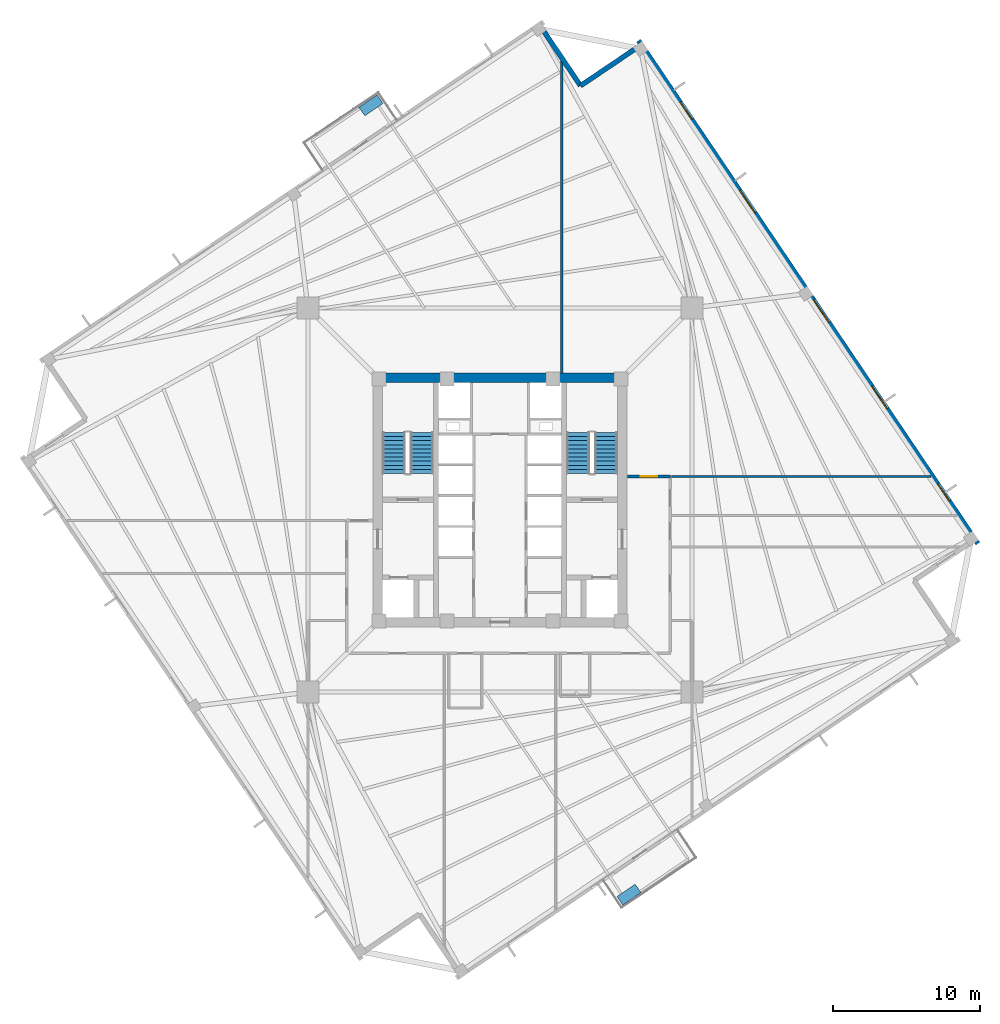
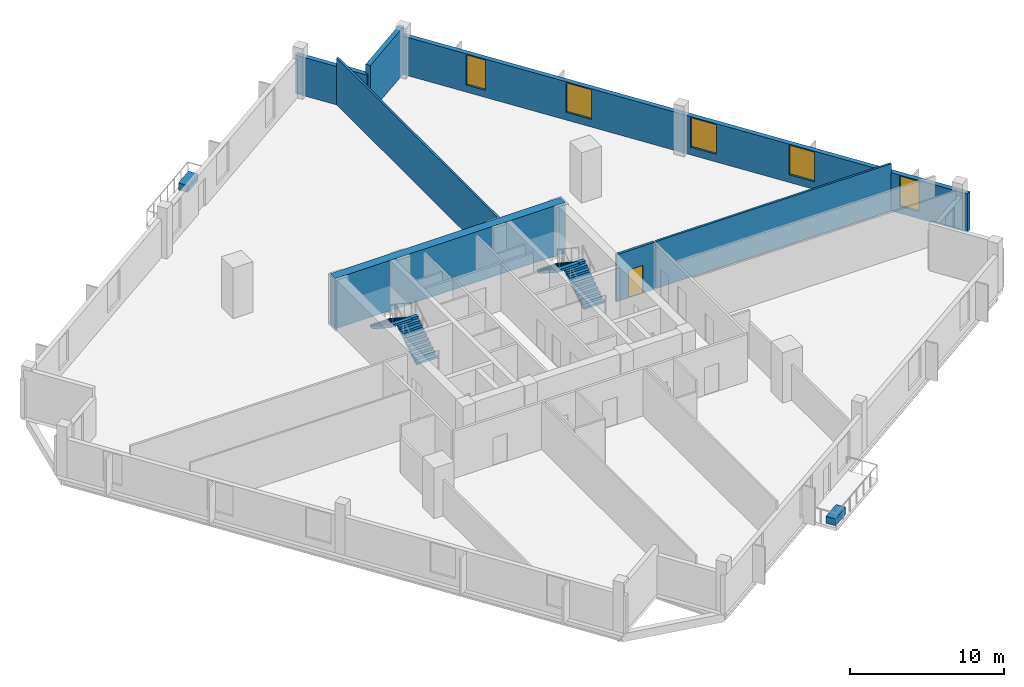
# One storey, part 5 of 8: 7 walls, 5 windows, 4 stair flights, 2 discrete accessories, 1 door, 6 openings, 2 elements without a shape of their own.
"""IFC4 building model written with IfcOpenShell, lengths in metres."""

from ifc_helpers import new_model, si_unit, direction, frame, frame_2d, origin, origin_2d, place, context, subcontext, project, spatial, polyline, rectangle, outline, extrude, source, transform, mapped, material, layer, layer_set, type_object, element, fill, aggregate, save


model = new_model("IFC4")

# Units and contexts
model_context = context("Model", 3, precision=1e-05, world=origin(), true_north=direction((0.0, 1.0)))
body_context = subcontext(model_context, "Body", "Model", "MODEL_VIEW")
ifc_project = project(units=[si_unit("LENGTHUNIT", "METRE"), si_unit("AREAUNIT", "SQUARE_METRE"), si_unit("VOLUMEUNIT", "CUBIC_METRE"), si_unit("PLANEANGLEUNIT", "RADIAN"), si_unit("MASSUNIT", "GRAM", prefix="KILO"), si_unit("THERMODYNAMICTEMPERATUREUNIT", "KELVIN")], contexts=[model_context])

# Site, building, storey
site_placement = place(None, origin())
site = spatial("IfcSite", under=ifc_project, at=site_placement, CompositionType="ELEMENT")
building_placement = place(site_placement, origin())
building = spatial("IfcBuilding", under=site, at=building_placement, Name="Kosmvard Interchange Tower", CompositionType="ELEMENT")
storey_placement = place(building_placement, frame((0.0, 0.0, 176.39990234375)))
storey = spatial("IfcBuildingStorey", under=building, at=storey_placement, Name="L42", CompositionType="ELEMENT", Elevation=176.39990234375)

# Walls
ifc_material_1 = material(Name="Acoustic gypsum partition system")
ifc_layer_1 = layer(ifc_material_1, 0.14990234375, Name="Acoustic gypsum partition system")
ifc_layer_set_1 = layer_set([ifc_layer_1], Name="Acoustic gypsum partition system")
wall_type_1 = type_object("IfcWallType", Name="Acoustic Suite & Meeting Partition 150", PredefinedType="PARTITIONING", material=ifc_layer_set_1)
wall_1_placement = place(storey_placement, frame((4.199951171875, 8.655029296875, 0.0), z_axis=(0.0, 0.0, 1.0), x_axis=(0.0, 1.0, 0.0)))
element("IfcWall", 1, at=wall_1_placement, inside=storey, type_object=wall_type_1, Name="L42 Room Partition 01.1", PredefinedType="PARTITIONING", context=body_context, shape_type="SweptSolid", body=[
    extrude(rectangle(XDim=21.286376953125, YDim=0.14990234375, at=frame_2d((10.64306640625, 0.0))), origin(), (0.0, 0.0, 1.0), 3.739990234375),
])
wall_2_placement = place(storey_placement, frame((11.695068359375, 1.60009765625, 0.0), z_axis=(0.0, 0.0, 1.0), x_axis=(1.0, 0.0, 0.0)))
element("IfcWall", 2, at=wall_2_placement, inside=storey, type_object=wall_type_1, Name="L42 Room Partition 04.1", PredefinedType="PARTITIONING", context=body_context, shape_type="SweptSolid", body=[
    extrude(rectangle(XDim=17.652587890625, YDim=0.14990234375, at=frame_2d((8.826171875, 0.0))), origin(), (0.0, 0.0, 1.0), 3.739990234375),
])

# Wall, opening, door
ifc_material_2 = material(Name="Fire-rated gypsum partition system")
ifc_layer_2 = layer(ifc_material_2, 0.179931640625, Name="Fire-rated gypsum partition system")
ifc_layer_set_2 = layer_set([ifc_layer_2], Name="Fire-rated gypsum partition system")
wall_type_2 = type_object("IfcWallType", Name="Corridor & Hotel Compartment Partition 180", PredefinedType="PARTITIONING", material=ifc_layer_set_2)
wall_3_placement = place(storey_placement, frame((8.699951171875, 1.60009765625, 0.0), z_axis=(0.0, 0.0, 1.0), x_axis=(1.0, 0.0, 0.0)))
wall_3 = element("IfcWall", 3, at=wall_3_placement, inside=storey, type_object=wall_type_2, Name="L42 Corridor Wall CNE", PredefinedType="PARTITIONING", context=body_context, shape_type="SweptSolid", body=[
    extrude(rectangle(XDim=2.900146484375, YDim=0.179931640625, at=frame_2d((1.4501953125, 0.0))), origin(), (0.0, 0.0, 1.0), 3.739990234375),
])
opening_1_placement = place(wall_3_placement, frame((0.89990234375, 0.0, 0.0)))
opening_1 = element("IfcOpeningElement", 4, at=opening_1_placement, cuts=wall_3, Name="Opening L42-D04", PredefinedType="OPENING", context=body_context, shape_type="SweptSolid", body=[
    extrude(rectangle(XDim=1.10009765625, YDim=2.199951171875, at=frame_2d((0.550048828125, 1.10009765625))), frame((0.0, 0.10009765625, 0.0), z_axis=(0.0, -1.0, 0.0), x_axis=(1.0, 0.0, 0.0)), (0.0, 0.0, 1.0), 0.199951171875),
])
ifc_material_3 = material(Name="Engineered oak fire-rated timber", Category="wood")
door_type = type_object("IfcDoorType", Name="Office Suite Entrance Door 1100x2200 FD30S", OperationType="NOTDEFINED", PredefinedType="DOOR", material=ifc_material_3)
shared_shape_1 = source(origin(), body_context, "Body", "SweptSolid", [
    extrude(rectangle(XDim=1.10009765625, YDim=2.199951171875, at=frame_2d((0.550048828125, 1.10009765625))), frame((0.0, 0.02490234375, 0.0), z_axis=(0.0, -1.0, 0.0), x_axis=(1.0, 0.0, 0.0)), (0.0, 0.0, 1.0), 0.050048828125),
])
door_placement = place(opening_1_placement, origin())
door = element("IfcDoor", 5, at=door_placement, inside=storey, type_object=door_type, Name="L42 North-East Open Trading Floor Door", OperationType="SINGLE_SWING_RIGHT", OverallHeight=2.199951171875, OverallWidth=1.10009765625, PredefinedType="DOOR", context=body_context, shape_type="MappedRepresentation", body=[
    mapped(shared_shape_1, transform((0.0, 0.0, 0.0), scale=1.0)),
])
fill(opening_1, door)

# Wall
ifc_material_4 = material(Name="Concrete C70/85", Category="concrete")
ifc_layer_3 = layer(ifc_material_4, 0.64990234375, Name="Concrete C70/85")
ifc_layer_set_3 = layer_set([ifc_layer_3], Name="Concrete C70/85")
wall_type_3 = type_object("IfcWallType", Name="Mid Core Shear Wall 650 C70/85", PredefinedType="SHEAR", material=ifc_layer_set_3)
wall_4_placement = place(storey_placement, frame((-8.64990234375, 8.324951171875, 0.0), z_axis=(0.0, 0.0, 1.0), x_axis=(1.0, 0.0, 0.0)))
element("IfcWall", 6, at=wall_4_placement, inside=storey, type_object=wall_type_3, Name="L42 Core Shear Wall CW-N", PredefinedType="SHEAR", context=body_context, shape_type="SweptSolid", body=[
    extrude(rectangle(XDim=17.2998046875, YDim=0.64990234375, at=frame_2d((8.64990234375, 0.0))), origin(), (0.0, 0.0, 1.0), 4.0),
])

# Wall, openings, windows
ifc_material_5 = material(Name="Precast concrete C45/55", Category="concrete")
ifc_layer_4 = layer(ifc_material_5, 0.340087890625, Name="Precast concrete C45/55")
ifc_layer_set_4 = layer_set([ifc_layer_4], Name="Precast concrete C45/55")
wall_type_4 = type_object("IfcWallType", Name="Mid Tower Precast Pier Wall 340 C45/55", PredefinedType="STANDARD", material=ifc_layer_set_4)
wall_5_placement = place(storey_placement, frame((32.55810546875, -2.971923828125, 0.0), z_axis=(0.0, 0.0, 1.0), x_axis=(-0.559194910251, 0.829036218961, 0.0)))
wall_5 = element("IfcWall", 7, at=wall_5_placement, inside=storey, type_object=wall_type_4, Name="L42 Precast Facade Wall F-E", PredefinedType="STANDARD", context=body_context, shape_type="SweptSolid", body=[
    extrude(rectangle(XDim=41.340087890625, YDim=0.340087890625, at=frame_2d((20.669921875, 0.0))), origin(), (0.0, 0.0, 1.0), 3.0400390625),
])
opening_2_placement = place(wall_5_placement, frame((3.5107421875, 0.0, 0.56005859375)))
opening_2 = element("IfcOpeningElement", 8, at=opening_2_placement, cuts=wall_5, Name="Opening L42-W06", PredefinedType="OPENING", context=body_context, shape_type="SweptSolid", body=[
    extrude(rectangle(XDim=1.39990234375, YDim=2.39990234375, at=frame_2d((0.699951171875, 1.199951171875))), frame((0.0, 0.18017578125, 0.0), z_axis=(0.0, -1.0, 0.0), x_axis=(1.0, 0.0, 0.0)), (0.0, 0.0, 1.0), 0.360107421875),
])
opening_3_placement = place(wall_5_placement, frame((11.063720703125, 0.0, 0.610107421875)))
opening_3 = element("IfcOpeningElement", 9, at=opening_3_placement, cuts=wall_5, Name="Opening L42-W07", PredefinedType="OPENING", context=body_context, shape_type="SweptSolid", body=[
    extrude(rectangle(XDim=1.85009765625, YDim=2.35009765625, at=frame_2d((0.925048828125, 1.175048828125))), frame((0.0, 0.18017578125, 0.0), z_axis=(0.0, -1.0, 0.0), x_axis=(1.0, 0.0, 0.0)), (0.0, 0.0, 1.0), 0.360107421875),
])
opening_4_placement = place(wall_5_placement, frame((18.168212890625, 0.0, 0.610107421875)))
opening_4 = element("IfcOpeningElement", 10, at=opening_4_placement, cuts=wall_5, Name="Opening L42-W08", PredefinedType="OPENING", context=body_context, shape_type="SweptSolid", body=[
    extrude(rectangle(XDim=1.85009765625, YDim=2.35009765625, at=frame_2d((0.925048828125, 1.175048828125))), frame((0.0, 0.18017578125, 0.0), z_axis=(0.0, -1.0, 0.0), x_axis=(1.0, 0.0, 0.0)), (0.0, 0.0, 1.0), 0.360107421875),
])
opening_5_placement = place(wall_5_placement, frame((27.186279296875, 0.0, 0.610107421875)))
opening_5 = element("IfcOpeningElement", 11, at=opening_5_placement, cuts=wall_5, Name="Opening L42-W09", PredefinedType="OPENING", context=body_context, shape_type="SweptSolid", body=[
    extrude(rectangle(XDim=1.85009765625, YDim=2.35009765625, at=frame_2d((0.925048828125, 1.175048828125))), frame((0.0, 0.18017578125, 0.0), z_axis=(0.0, -1.0, 0.0), x_axis=(1.0, 0.0, 0.0)), (0.0, 0.0, 1.0), 0.360107421875),
])
opening_6_placement = place(wall_5_placement, frame((34.852294921875, 0.0, 0.56005859375)))
opening_6 = element("IfcOpeningElement", 12, at=opening_6_placement, cuts=wall_5, Name="Opening L42-W10", PredefinedType="OPENING", context=body_context, shape_type="SweptSolid", body=[
    extrude(rectangle(XDim=1.39990234375, YDim=2.39990234375, at=frame_2d((0.699951171875, 1.199951171875))), frame((0.0, 0.18017578125, 0.0), z_axis=(0.0, -1.0, 0.0), x_axis=(1.0, 0.0, 0.0)), (0.0, 0.0, 1.0), 0.360107421875),
])
ifc_material_6 = material(Name="Low-E solar-control double glazing", Category="glass")
window_type_1 = type_object("IfcWindowType", Name="Notched Corner Feature Window 1400x2400", PartitioningType="SINGLE_PANEL", PredefinedType="WINDOW", material=ifc_material_6)
shared_shape_2 = source(origin(), body_context, "Body", "SweptSolid", [
    extrude(rectangle(XDim=1.39990234375, YDim=2.39990234375, at=frame_2d((0.699951171875, 1.199951171875))), frame((0.0, 0.030029296875, 0.0), z_axis=(0.0, -1.0, 0.0), x_axis=(1.0, 0.0, 0.0)), (0.0, 0.0, 1.0), 0.06005859375),
])
window_1_placement = place(opening_2_placement, origin())
window_1 = element("IfcWindow", 13, at=window_1_placement, inside=storey, type_object=window_type_1, Name="L42 Facade Punched Window 06", OverallHeight=2.39990234375, OverallWidth=1.39990234375, PartitioningType="SINGLE_PANEL", PredefinedType="WINDOW", context=body_context, shape_type="MappedRepresentation", body=[
    mapped(shared_shape_2, transform((0.0, 0.0, 0.0), scale=1.0)),
])
fill(opening_2, window_1)
window_2_placement = place(opening_6_placement, origin())
window_2 = element("IfcWindow", 14, at=window_2_placement, inside=storey, type_object=window_type_1, Name="L42 Facade Punched Window 10", OverallHeight=2.39990234375, OverallWidth=1.39990234375, PartitioningType="SINGLE_PANEL", PredefinedType="WINDOW", context=body_context, shape_type="MappedRepresentation", body=[
    mapped(shared_shape_2, transform((0.0, 0.0, 0.0), scale=1.0)),
])
fill(opening_6, window_2)
window_type_2 = type_object("IfcWindowType", Name="Zone 3 Office Punched Window 1850x2350", PartitioningType="SINGLE_PANEL", PredefinedType="WINDOW", material=ifc_material_6)
shared_shape_3 = source(origin(), body_context, "Body", "SweptSolid", [
    extrude(rectangle(XDim=1.85009765625, YDim=2.35009765625, at=frame_2d((0.925048828125, 1.175048828125))), frame((0.0, 0.030029296875, 0.0), z_axis=(0.0, -1.0, 0.0), x_axis=(1.0, 0.0, 0.0)), (0.0, 0.0, 1.0), 0.06005859375),
])
window_3_placement = place(opening_3_placement, origin())
window_3 = element("IfcWindow", 15, at=window_3_placement, inside=storey, type_object=window_type_2, Name="L42 Facade Punched Window 07", OverallHeight=2.35009765625, OverallWidth=1.85009765625, PartitioningType="SINGLE_PANEL", PredefinedType="WINDOW", context=body_context, shape_type="MappedRepresentation", body=[
    mapped(shared_shape_3, transform((0.0, 0.0, 0.0), scale=1.0)),
])
fill(opening_3, window_3)
window_4_placement = place(opening_4_placement, origin())
window_4 = element("IfcWindow", 16, at=window_4_placement, inside=storey, type_object=window_type_2, Name="L42 Facade Punched Window 08", OverallHeight=2.35009765625, OverallWidth=1.85009765625, PartitioningType="SINGLE_PANEL", PredefinedType="WINDOW", context=body_context, shape_type="MappedRepresentation", body=[
    mapped(shared_shape_3, transform((0.0, 0.0, 0.0), scale=1.0)),
])
fill(opening_4, window_4)
window_5_placement = place(opening_5_placement, origin())
window_5 = element("IfcWindow", 17, at=window_5_placement, inside=storey, type_object=window_type_2, Name="L42 Facade Punched Window 09", OverallHeight=2.35009765625, OverallWidth=1.85009765625, PartitioningType="SINGLE_PANEL", PredefinedType="WINDOW", context=body_context, shape_type="MappedRepresentation", body=[
    mapped(shared_shape_3, transform((0.0, 0.0, 0.0), scale=1.0)),
])
fill(opening_5, window_5)

# Walls
wall_6_placement = place(storey_placement, frame((9.631103515625, 31.018798828125, 0.0), z_axis=(0.0, 0.0, 1.0), x_axis=(-0.829025804298, -0.559210350234, 0.0)))
element("IfcWall", 18, at=wall_6_placement, inside=storey, type_object=wall_type_4, Name="L42 Precast Facade Wall N-NE1", PredefinedType="STANDARD", context=body_context, shape_type="SweptSolid", body=[
    extrude(rectangle(XDim=5.000244140625, YDim=0.340087890625, at=frame_2d((2.5, 0.0))), origin(), (0.0, 0.0, 1.0), 3.739990234375),
])
wall_7_placement = place(storey_placement, frame((5.48583984375, 28.22265625, 0.0), z_axis=(0.0, 0.0, 1.0), x_axis=(-0.559171107879, 0.82905227345, 0.0)))
element("IfcWall", 19, at=wall_7_placement, inside=storey, type_object=wall_type_4, Name="L42 Precast Facade Wall N-NE2", PredefinedType="STANDARD", context=body_context, shape_type="SweptSolid", body=[
    extrude(rectangle(XDim=5.169921875, YDim=0.340087890625, at=frame_2d((2.5849609375, 0.0))), origin(), (0.0, 0.0, 1.0), 3.0400390625),
])

# Stair, stair flights
ifc_material_7 = material(Name="Concrete C50/60", Category="concrete")
stair_type = type_object("IfcStairType", Name="Dog-Leg Core Exit Stair H4000 C50/60", PredefinedType="HALF_TURN_STAIR", material=ifc_material_7)
stair_1_placement = place(storey_placement, origin())
stair_1 = element("IfcStair", 20, at=stair_1_placement, inside=storey, type_object=stair_type, Name="L42 Protected Exit Stair ST-1", PredefinedType="HALF_TURN_STAIR")
stair_flight_type = type_object("IfcStairFlightType", Name="Core Stair Flight W1550 H4000 C50/60", PredefinedType="STRAIGHT", material=ifc_material_7)
shared_shape_4 = source(origin(), body_context, "Body", "SweptSolid", [
    extrude(outline(polyline([(0.0, 0.0), (0.0, 0.181884765625), (0.280029296875, 0.181884765625), (0.280029296875, 0.363525390625), (0.56005859375, 0.363525390625), (0.56005859375, 0.54541015625), (0.840087890625, 0.54541015625), (0.840087890625, 0.727294921875), (1.1201171875, 0.727294921875), (1.1201171875, 0.9091796875), (1.39990234375, 0.9091796875), (1.39990234375, 1.0908203125), (1.679931640625, 1.0908203125), (1.679931640625, 1.272705078125), (1.9599609375, 1.272705078125), (1.9599609375, 1.45458984375), (2.239990234375, 1.45458984375), (2.239990234375, 1.636474609375), (2.52001953125, 1.636474609375), (2.52001953125, 1.818115234375), (2.800048828125, 1.818115234375), (2.800048828125, 2.0), (2.800048828125, 1.62744140625), (0.293701171875, 0.0), (0.0, 0.0)])), frame((0.0, 0.77490234375, 0.0), z_axis=(0.0, -1.0, 0.0), x_axis=(1.0, 0.0, 0.0)), (0.0, 0.0, 1.0), 1.550048828125),
])
stair_flight_1_placement = place(storey_placement, frame((-5.31494140625, 1.800048828125, 0.0), z_axis=(0.0, 0.0, 1.0), x_axis=(0.0, 1.0, 0.0)))
stair_flight_1 = element("IfcStairFlight", 21, at=stair_flight_1_placement, type_object=stair_flight_type, Name="ST-1 flight 1", NumberOfRisers=11, NumberOfTreads=10, PredefinedType="STRAIGHT", RiserHeight=0.181818182, TreadLength=0.28, context=body_context, shape_type="MappedRepresentation", body=[
    mapped(shared_shape_4, transform((0.0, 0.0, 0.0), scale=1.0)),
])
stair_flight_2_placement = place(storey_placement, frame((-7.22509765625, 4.60009765625, 2.0), z_axis=(0.0, 0.0, 1.0), x_axis=(0.0, -1.0, 0.0)))
stair_flight_2 = element("IfcStairFlight", 22, at=stair_flight_2_placement, type_object=stair_flight_type, Name="ST-1 flight 2", NumberOfRisers=11, NumberOfTreads=10, PredefinedType="STRAIGHT", RiserHeight=0.181818182, TreadLength=0.28, context=body_context, shape_type="MappedRepresentation", body=[
    mapped(shared_shape_4, transform((0.0, 0.0, 0.0), scale=1.0)),
])
aggregate(stair_1, [stair_flight_1, stair_flight_2])

stair_2_placement = place(storey_placement, origin())
stair_2 = element("IfcStair", 23, at=stair_2_placement, inside=storey, type_object=stair_type, Name="L42 Protected Exit Stair ST-2", PredefinedType="HALF_TURN_STAIR")
stair_flight_3_placement = place(storey_placement, frame((7.22509765625, 1.800048828125, 0.0), z_axis=(0.0, 0.0, 1.0), x_axis=(0.0, 1.0, 0.0)))
stair_flight_3 = element("IfcStairFlight", 24, at=stair_flight_3_placement, type_object=stair_flight_type, Name="ST-2 flight 1", NumberOfRisers=11, NumberOfTreads=10, PredefinedType="STRAIGHT", RiserHeight=0.181818182, TreadLength=0.28, context=body_context, shape_type="MappedRepresentation", body=[
    mapped(shared_shape_4, transform((0.0, 0.0, 0.0), scale=1.0)),
])
stair_flight_4_placement = place(storey_placement, frame((5.31494140625, 4.60009765625, 2.0), z_axis=(0.0, 0.0, 1.0), x_axis=(0.0, -1.0, 0.0)))
stair_flight_4 = element("IfcStairFlight", 25, at=stair_flight_4_placement, type_object=stair_flight_type, Name="ST-2 flight 2", NumberOfRisers=11, NumberOfTreads=10, PredefinedType="STRAIGHT", RiserHeight=0.181818182, TreadLength=0.28, context=body_context, shape_type="MappedRepresentation", body=[
    mapped(shared_shape_4, transform((0.0, 0.0, 0.0), scale=1.0)),
])
aggregate(stair_2, [stair_flight_3, stair_flight_4])

# Discrete accessories
ifc_material_8 = material(Name="Terracotta precast planter concrete C45/55", Category="masonry")
discrete_accessory_type = type_object("IfcDiscreteAccessoryType", Name="Precast Tree-Balcony & Terrace Planter Box", PredefinedType="USERDEFINED", material=ifc_material_8)
shared_shape_5 = source(origin(), body_context, "Body", "SweptSolid", [
    extrude(rectangle(XDim=1.5, YDim=0.699951171875, at=origin_2d()), origin(), (0.0, 0.0, 1.0), 0.550048828125),
])
for number, where, z_axis, x_axis, name in (
    (26, (8.784912109375, -26.883544921875, 0.0), (0.0, 0.0, 1.0), (0.829037572555, 0.559192903471, 0.0), "L42 Balcony Tree Planter BAL-L42-S"),
    (27, (-8.784912109375, 26.883544921875, 0.0), (0.0, 0.0, 1.0), (0.829037572555, 0.559192903471, 0.0), "L42 Balcony Tree Planter BAL-L42-N"),
):
    element("IfcDiscreteAccessory", number, at=place(storey_placement, frame(where, z_axis=z_axis, x_axis=x_axis)), inside=storey, type_object=discrete_accessory_type, Name=name, ObjectType="PLANTER", PredefinedType="USERDEFINED", context=body_context, shape_type="MappedRepresentation", body=[
        mapped(shared_shape_5, transform((0.0, 0.0, 0.0), scale=1.0)),
    ])

save(model, "model.ifc")
